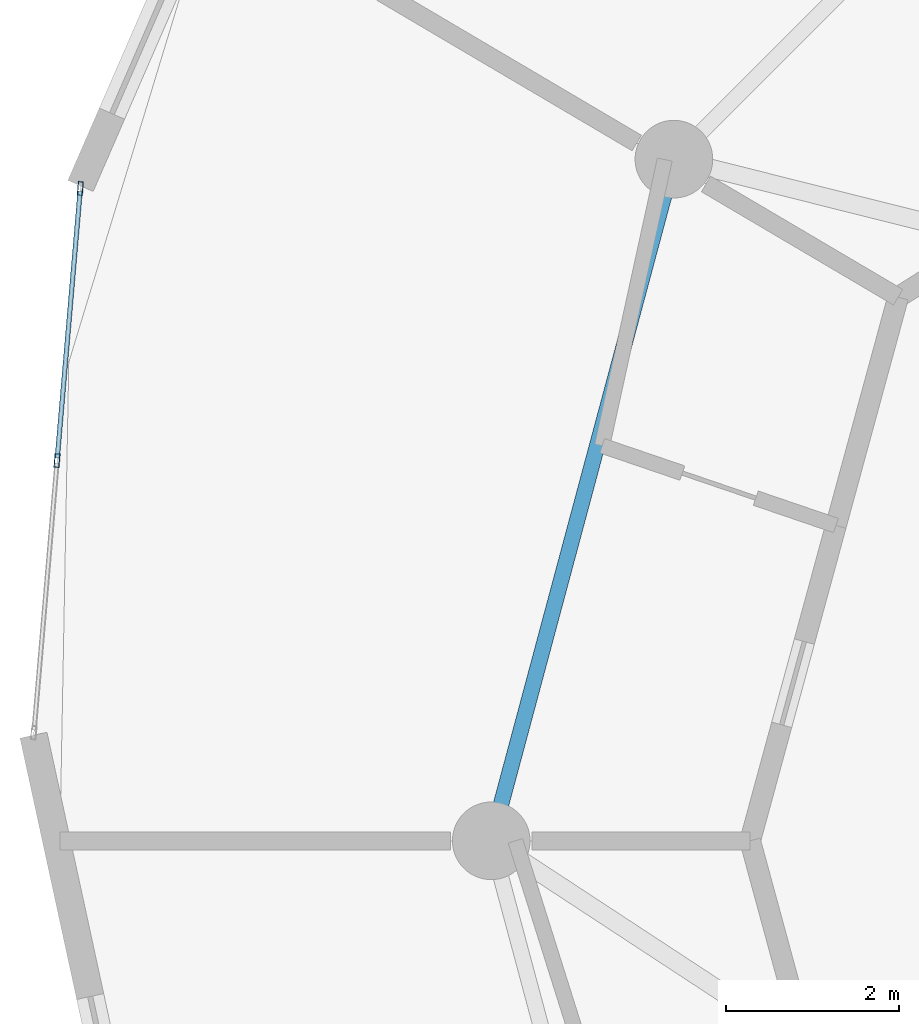
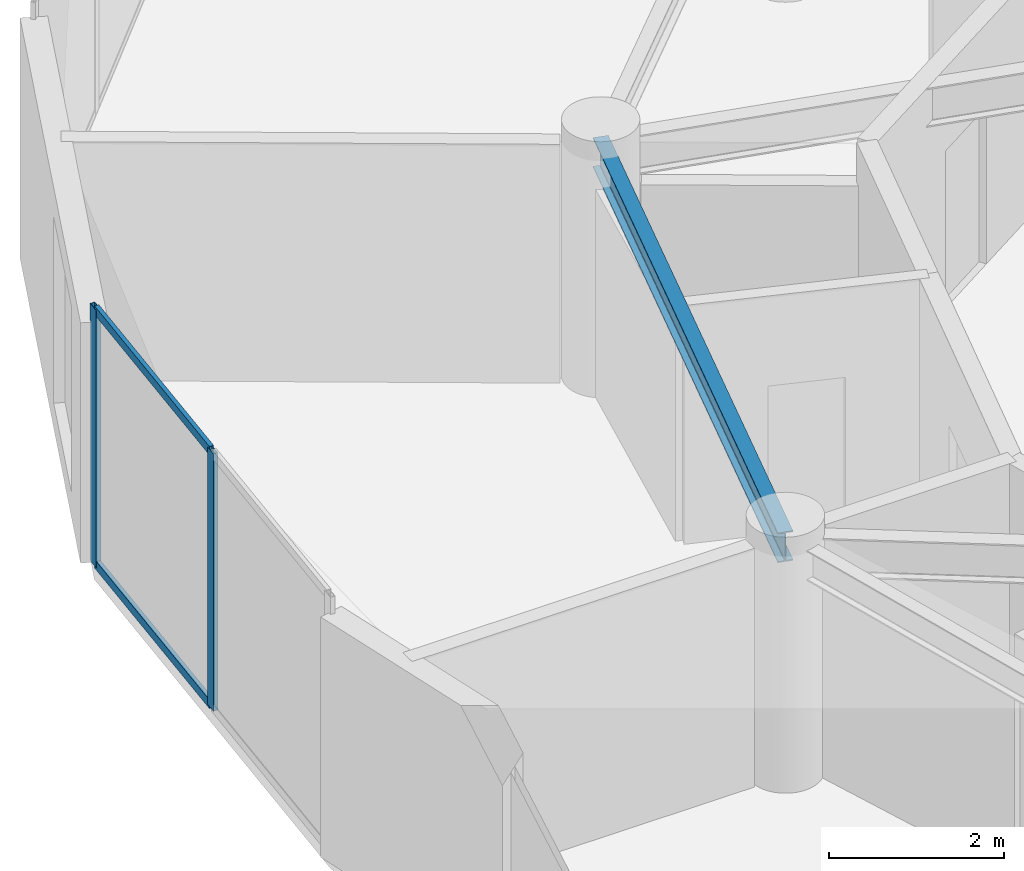
# One storey, part 9 of 23: 4 members, 1 beam, 1 element without a shape of its own.
"""IFC4 building model written with IfcOpenShell, lengths in metres."""

from ifc_helpers import new_model, si_unit, direction, frame, origin, origin_2d, place, context, subcontext, project, spatial, hollow_rectangle, i_section, extrude, source, transform, mapped, material, layer, layer_set, material_profile, profile_set, type_object, element, aggregate, save


model = new_model("IFC4")

# Units and contexts
model_context = context("Model", 3, precision=1e-05, world=origin(), true_north=direction((0.0, 1.0)))
body_context = subcontext(model_context, "Body", "Model", "MODEL_VIEW")
ifc_project = project(units=[si_unit("LENGTHUNIT", "METRE"), si_unit("AREAUNIT", "SQUARE_METRE"), si_unit("VOLUMEUNIT", "CUBIC_METRE"), si_unit("PLANEANGLEUNIT", "RADIAN"), si_unit("MASSUNIT", "GRAM", prefix="KILO")], contexts=[model_context])

# Site, building, storey
site_placement = place(None, origin())
site = spatial("IfcSite", under=ifc_project, at=site_placement, CompositionType="ELEMENT")
building_placement = place(site_placement, origin())
building = spatial("IfcBuilding", under=site, at=building_placement, Name="Solvirekh Grand Hotel", CompositionType="ELEMENT")
storey_placement = place(building_placement, frame((0.0, 0.0, 180.39990234375)))
storey = spatial("IfcBuildingStorey", under=building, at=storey_placement, Name="L46", CompositionType="ELEMENT", Elevation=180.39990234375)

# Beam
ifc_material_1 = material(Name="Steel S355", Category="steel")
ifc_material_profile_1 = material_profile(ifc_material_1, i_section(OverallWidth=0.180908203125, OverallDepth=0.4169921875, WebThickness=0.010009765625, FlangeThickness=0.01611328125, FilletRadius=0.011962890625, at=origin_2d()), Name="W410X85")
ifc_profile_set_1 = profile_set([ifc_material_profile_1], Name="Steel S355")
beam_type = type_object("IfcBeamType", Name="Spandrel_Ring_W410", PredefinedType="SPANDREL", material=ifc_profile_set_1)
beam_placement = place(storey_placement, frame((-13.68310546875, 7.89990234375, 3.152099609375), z_axis=(-0.258838541915, -0.965920601923, 0.0), x_axis=(0.965920601923, -0.258838541915, 0.0)))
element("IfcBeam", 1, at=beam_placement, inside=storey, type_object=beam_type, Name="L46 perimeter spandrel beam 6", PredefinedType="SPANDREL", context=body_context, shape_type="SweptSolid", body=[
    extrude(i_section(OverallWidth=0.180908203125, OverallDepth=0.4169921875, WebThickness=0.010009765625, FlangeThickness=0.01611328125, FilletRadius=0.011962890625, at=origin_2d()), origin(), (0.0, 0.0, 1.0), 8.1787109375),
])

# Curtain wall, members
ifc_material_2 = material(Name="Anodized Bronze Aluminium 6063-T6", Category="aluminium")
ifc_layer = layer(ifc_material_2, 0.159912109375)
ifc_layer_set = layer_set([ifc_layer], Name="Anodized Bronze Aluminium 6063-T6")
curtain_wall_type = type_object("IfcCurtainWallType", Name="CW_Sys4_HighZoneFlushBronzeCW", PredefinedType="NOTDEFINED", material=ifc_layer_set)
curtain_wall_placement = place(storey_placement, origin())
curtain_wall = element("IfcCurtainWall", 2, at=curtain_wall_placement, inside=storey, type_object=curtain_wall_type, Name="L46 unitised bronze-glass curtain wall CW-L46-C13", PredefinedType="NOTDEFINED")
ifc_material_profile_2 = material_profile(ifc_material_2, hollow_rectangle(XDim=0.06005859375, YDim=0.159912109375, WallThickness=0.0048828125, at=origin_2d()), Name="ALU RHS 160X60X5")
ifc_profile_set_2 = profile_set([ifc_material_profile_2], Name="Anodized Bronze Aluminium 6063-T6")
member_type_1 = type_object("IfcMemberType", Name="CWMullion_Sys4", PredefinedType="MULLION", material=ifc_profile_set_2)
shared_shape_1 = source(origin(), body_context, "Body", "SweptSolid", [
    extrude(hollow_rectangle(XDim=0.06005859375, YDim=0.159912109375, WallThickness=0.0048828125, at=origin_2d()), origin(), (0.0, 0.0, 1.0), 3.60009765625),
])
member_1_placement = place(storey_placement, frame((-20.5625, 7.56005859375, 0.0), z_axis=(0.0, 0.0, 1.0), x_axis=(0.996355395292, -0.085299040279, 0.0)))
member_1 = element("IfcMember", 3, at=member_1_placement, type_object=member_type_1, Name="U04 mullion 1", PredefinedType="MULLION", context=body_context, shape_type="MappedRepresentation", body=[
    mapped(shared_shape_1, transform((0.0, 0.0, 0.0), x_axis=(1.0, 0.0, 0.0), y_axis=(0.0, 1.0, 0.0), z_axis=(0.0, 0.0, 1.0), scale=1.0)),
])
member_2_placement = place(storey_placement, frame((-20.83251953125, 4.406982421875, 0.0), z_axis=(0.0, 0.0, 1.0), x_axis=(0.996355395292, -0.085299040279, 0.0)))
member_2 = element("IfcMember", 4, at=member_2_placement, type_object=member_type_1, Name="U04 mullion 2", PredefinedType="MULLION", context=body_context, shape_type="MappedRepresentation", body=[
    mapped(shared_shape_1, transform((0.0, 0.0, 0.0), x_axis=(1.0, 0.0, 0.0), y_axis=(0.0, 1.0, 0.0), z_axis=(0.0, 0.0, 1.0), scale=1.0)),
])
ifc_material_profile_3 = material_profile(ifc_material_2, hollow_rectangle(XDim=0.054931640625, YDim=0.1201171875, WallThickness=0.00390625, at=origin_2d()), Name="ALU RHS 120X55X4")
ifc_profile_set_3 = profile_set([ifc_material_profile_3], Name="Anodized Bronze Aluminium 6063-T6")
member_type_2 = type_object("IfcMemberType", Name="CWTransom_Sys4", PredefinedType="USERDEFINED", material=ifc_profile_set_3)
shared_shape_2 = source(origin(), body_context, "Body", "SweptSolid", [
    extrude(hollow_rectangle(XDim=0.054931640625, YDim=0.1201171875, WallThickness=0.00390625, at=origin_2d()), origin(), (0.0, 0.0, 1.0), 3.1044921875),
])
member_3_placement = place(storey_placement, frame((-20.565185546875, 7.5302734375, 0.027587890625), z_axis=(-0.085245008773, -0.996360019511, 0.0), x_axis=(0.996360019511, -0.085245008773, 0.0)))
member_3 = element("IfcMember", 5, at=member_3_placement, type_object=member_type_2, Name="U04 transom 1.1", ObjectType="TRANSOM", PredefinedType="USERDEFINED", context=body_context, shape_type="MappedRepresentation", body=[
    mapped(shared_shape_2, transform((0.0, 0.0, 0.0), x_axis=(1.0, 0.0, 0.0), y_axis=(0.0, 1.0, 0.0), z_axis=(0.0, 0.0, 1.0), scale=1.0)),
])
member_4_placement = place(storey_placement, frame((-20.565185546875, 7.5302734375, 3.572509765625), z_axis=(-0.085245008773, -0.996360019511, 0.0), x_axis=(0.996360019511, -0.085245008773, 0.0)))
member_4 = element("IfcMember", 6, at=member_4_placement, type_object=member_type_2, Name="U04 transom 1.2", ObjectType="TRANSOM", PredefinedType="USERDEFINED", context=body_context, shape_type="MappedRepresentation", body=[
    mapped(shared_shape_2, transform((0.0, 0.0, 0.0), x_axis=(1.0, 0.0, 0.0), y_axis=(0.0, 1.0, 0.0), z_axis=(0.0, 0.0, 1.0), scale=1.0)),
])
aggregate(curtain_wall, [member_1, member_2, member_3, member_4])

save(model, "model.ifc")
